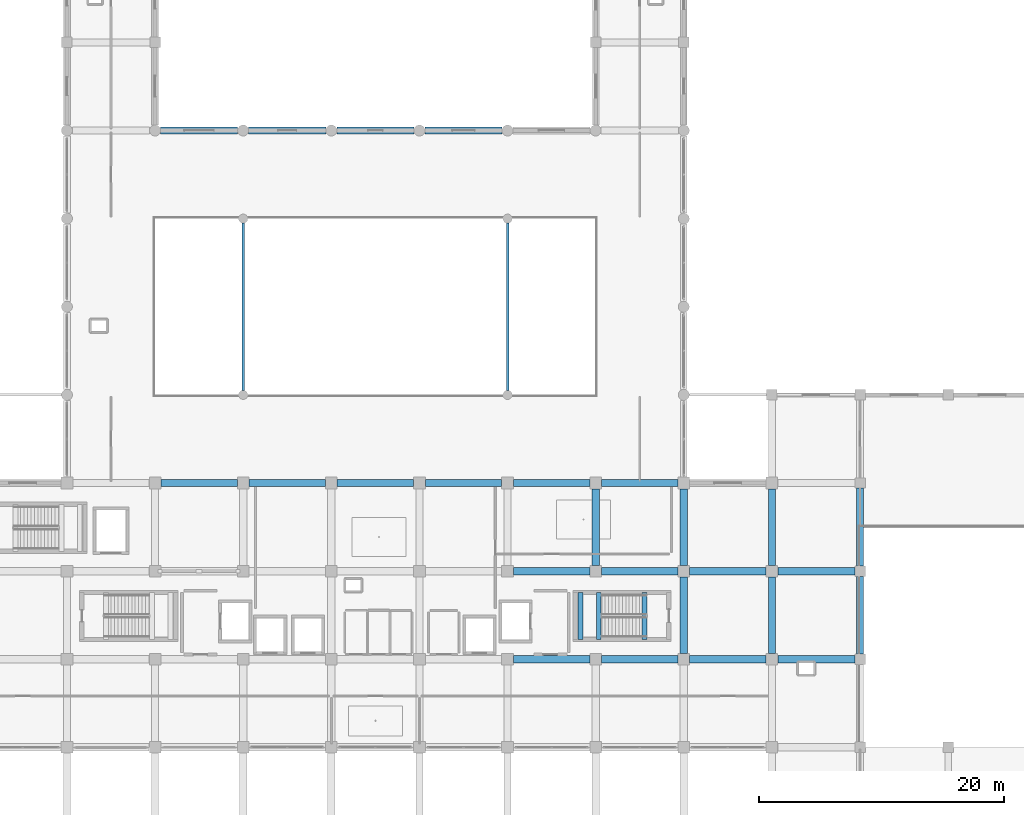
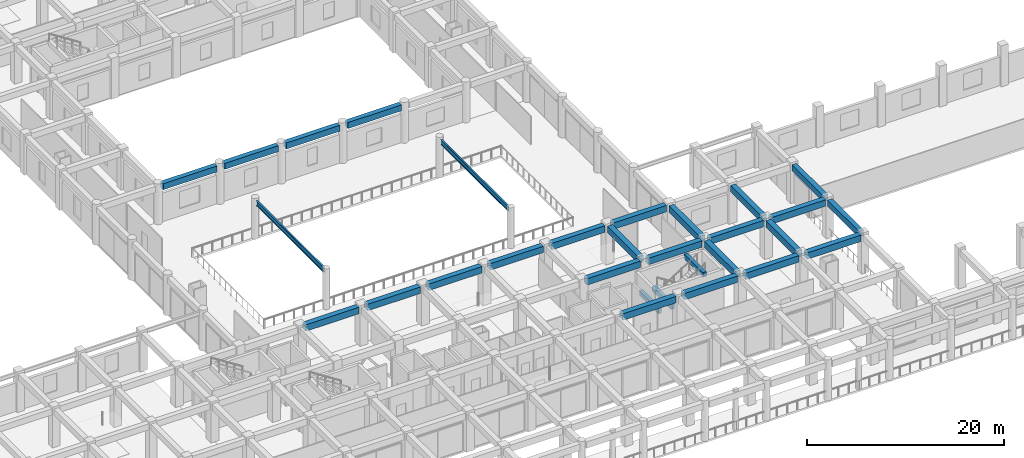
# One storey, part 19 of 54: 30 beams.
"""IFC4 building model written with IfcOpenShell, lengths in metres."""

from ifc_helpers import new_model, si_unit, direction, frame, origin, origin_2d, place, context, subcontext, project, spatial, rectangle, i_section, extrude, material, material_profile, profile_set, type_object, element, save


model = new_model("IFC4")

# Units and contexts
model_context = context("Model", 3, precision=1e-05, world=origin(), true_north=direction((0.0, 1.0)))
body_context = subcontext(model_context, "Body", "Model", "MODEL_VIEW")
ifc_project = project(units=[si_unit("LENGTHUNIT", "METRE"), si_unit("AREAUNIT", "SQUARE_METRE"), si_unit("VOLUMEUNIT", "CUBIC_METRE"), si_unit("PLANEANGLEUNIT", "RADIAN"), si_unit("MASSUNIT", "GRAM", prefix="KILO")], contexts=[model_context])

# Site, building, storey
site_placement = place(None, origin())
site = spatial("IfcSite", under=ifc_project, at=site_placement, CompositionType="ELEMENT")
building_placement = place(site_placement, origin())
building = spatial("IfcBuilding", under=site, at=building_placement, Name="Kazehaya Institute of Natural Sciences", CompositionType="ELEMENT")
storey_placement = place(building_placement, frame((0.0, 0.0, 5.39990234375)))
storey = spatial("IfcBuildingStorey", under=building, at=storey_placement, Name="L01", CompositionType="ELEMENT", Elevation=5.39990234375)

# Beams
ifc_material_1 = material(Name="Concrete Fc36", Category="concrete")
ifc_material_profile_1 = material_profile(ifc_material_1, rectangle(XDim=0.39990234375, YDim=0.60009765625, at=origin_2d()), Name="RC-400x600")
ifc_profile_set_1 = profile_set([ifc_material_profile_1], Name="Concrete Fc36")
beam_type_1 = type_object("IfcBeamType", Name="BM-B-400x600", PredefinedType="BEAM", material=ifc_profile_set_1)
for number, where, z_axis, x_axis, name in (
    (1, (109.0, 22.820068359375, 4.739990234375), (0.0, 1.0, 0.0), (-1.0, 0.0, 0.0), "L02 ST-2 stair header trimmer beam"),
    (2, (103.75, 22.820068359375, 2.06005859375), (0.0, 1.0, 0.0), (-1.0, 0.0, 0.0), "L01 ST-2 landing beam 1"),
    (3, (105.25, 22.820068359375, 2.06005859375), (0.0, 1.0, 0.0), (-1.0, 0.0, 0.0), "L01 ST-2 landing beam 2"),
):
    element("IfcBeam", number, at=place(storey_placement, frame(where, z_axis=z_axis, x_axis=x_axis)), inside=storey, type_object=beam_type_1, Name=name, PredefinedType="BEAM", context=body_context, shape_type="SweptSolid", body=[
        extrude(rectangle(XDim=0.39990234375, YDim=0.60009765625, at=origin_2d()), origin(), (0.0, 0.0, 1.0), 3.83984375),
    ])
ifc_material_profile_2 = material_profile(ifc_material_1, rectangle(XDim=0.550048828125, YDim=0.75, at=origin_2d()), Name="RC-550x750")
ifc_profile_set_2 = profile_set([ifc_material_profile_2], Name="Concrete Fc36")
beam_type_2 = type_object("IfcBeamType", Name="BM-G-550x750", PredefinedType="BEAM", material=ifc_profile_set_2)
for number, where, z_axis, x_axis, name in (
    (4, (69.449951171875, 64.39990234375, 4.39501953125), (1.0, 0.0, 0.0), (0.0, 1.0, 0.0), "L01 primary X girder BMX-L01-690-644"),
    (5, (76.64990234375, 64.39990234375, 4.39501953125), (1.0, 0.0, 0.0), (0.0, 1.0, 0.0), "L01 primary X girder BMX-L01-762-644"),
):
    element("IfcBeam", number, at=place(storey_placement, frame(where, z_axis=z_axis, x_axis=x_axis)), inside=storey, type_object=beam_type_2, Name=name, PredefinedType="BEAM", context=body_context, shape_type="SweptSolid", body=[
        extrude(rectangle(XDim=0.550048828125, YDim=0.75, at=origin_2d()), origin(), (0.0, 0.0, 1.0), 6.300048828125),
    ])
beam_1_placement = place(storey_placement, frame((83.85009765625, 64.39990234375, 4.39501953125), z_axis=(1.0, 0.0, 0.0), x_axis=(0.0, 1.0, 0.0)))
element("IfcBeam", 6, at=beam_1_placement, inside=storey, type_object=beam_type_2, Name="L01 primary X girder BMX-L01-834-644", PredefinedType="BEAM", context=body_context, shape_type="SweptSolid", body=[
    extrude(rectangle(XDim=0.550048828125, YDim=0.75, at=origin_2d()), origin(), (0.0, 0.0, 1.0), 6.2998046875),
])
beam_2_placement = place(storey_placement, frame((91.050048828125, 64.39990234375, 4.39501953125), z_axis=(1.0, 0.0, 0.0), x_axis=(0.0, 1.0, 0.0)))
element("IfcBeam", 7, at=beam_2_placement, inside=storey, type_object=beam_type_2, Name="L01 primary X girder BMX-L01-906-644", PredefinedType="BEAM", context=body_context, shape_type="SweptSolid", body=[
    extrude(rectangle(XDim=0.550048828125, YDim=0.75, at=origin_2d()), origin(), (0.0, 0.0, 1.0), 6.300048828125),
])
for number, where, z_axis, x_axis, name in (
    (8, (126.60009765625, 21.625, 4.39501953125), (0.0, 1.0, 0.0), (-1.0, 0.0, 0.0), "L01 primary Y girder BMY-L01-1266-212"),
    (9, (126.60009765625, 28.824951171875, 4.39501953125), (0.0, 1.0, 0.0), (-1.0, 0.0, 0.0), "L01 primary Y girder BMY-L01-1266-284"),
):
    element("IfcBeam", number, at=place(storey_placement, frame(where, z_axis=z_axis, x_axis=x_axis)), inside=storey, type_object=beam_type_2, Name=name, PredefinedType="BEAM", context=body_context, shape_type="SweptSolid", body=[
        extrude(rectangle(XDim=0.550048828125, YDim=0.75, at=origin_2d()), origin(), (0.0, 0.0, 1.0), 6.35009765625),
    ])
ifc_material_profile_3 = material_profile(ifc_material_1, rectangle(XDim=0.60009765625, YDim=0.800048828125, at=origin_2d()), Name="RC-600x800")
ifc_profile_set_3 = profile_set([ifc_material_profile_3], Name="Concrete Fc36")
beam_type_3 = type_object("IfcBeamType", Name="BM-G-600x800", PredefinedType="BEAM", material=ifc_profile_set_3)
for number, where, z_axis, x_axis, name in (
    (10, (98.27490234375, 21.199951171875, 4.3701171875), (1.0, 0.0, 0.0), (0.0, 1.0, 0.0), "L01 primary X girder BMX-L01-978-212"),
    (11, (105.47509765625, 21.199951171875, 4.3701171875), (1.0, 0.0, 0.0), (0.0, 1.0, 0.0), "L01 primary X girder BMX-L01-1050-212"),
    (12, (112.675048828125, 21.199951171875, 4.3701171875), (1.0, 0.0, 0.0), (0.0, 1.0, 0.0), "L01 primary X girder BMX-L01-1122-212"),
):
    element("IfcBeam", number, at=place(storey_placement, frame(where, z_axis=z_axis, x_axis=x_axis)), inside=storey, type_object=beam_type_3, Name=name, PredefinedType="BEAM", context=body_context, shape_type="SweptSolid", body=[
        extrude(rectangle(XDim=0.60009765625, YDim=0.800048828125, at=origin_2d()), origin(), (0.0, 0.0, 1.0), 6.25),
    ])
beam_3_placement = place(storey_placement, frame((119.875, 21.199951171875, 4.3701171875), z_axis=(1.0, 0.0, 0.0), x_axis=(0.0, 1.0, 0.0)))
element("IfcBeam", 13, at=beam_3_placement, inside=storey, type_object=beam_type_3, Name="L01 primary X girder BMX-L01-1194-212", PredefinedType="BEAM", context=body_context, shape_type="SweptSolid", body=[
    extrude(rectangle(XDim=0.60009765625, YDim=0.800048828125, at=origin_2d()), origin(), (0.0, 0.0, 1.0), 6.300048828125),
])
for number, where, z_axis, x_axis, name in (
    (14, (98.27490234375, 28.39990234375, 4.3701171875), (1.0, 0.0, 0.0), (0.0, 1.0, 0.0), "L01 primary X girder BMX-L01-978-284"),
    (15, (105.47509765625, 28.39990234375, 4.3701171875), (1.0, 0.0, 0.0), (0.0, 1.0, 0.0), "L01 primary X girder BMX-L01-1050-284"),
    (16, (112.675048828125, 28.39990234375, 4.3701171875), (1.0, 0.0, 0.0), (0.0, 1.0, 0.0), "L01 primary X girder BMX-L01-1122-284"),
):
    element("IfcBeam", number, at=place(storey_placement, frame(where, z_axis=z_axis, x_axis=x_axis)), inside=storey, type_object=beam_type_3, Name=name, PredefinedType="BEAM", context=body_context, shape_type="SweptSolid", body=[
        extrude(rectangle(XDim=0.60009765625, YDim=0.800048828125, at=origin_2d()), origin(), (0.0, 0.0, 1.0), 6.25),
    ])
beam_4_placement = place(storey_placement, frame((119.875, 28.39990234375, 4.3701171875), z_axis=(1.0, 0.0, 0.0), x_axis=(0.0, 1.0, 0.0)))
element("IfcBeam", 17, at=beam_4_placement, inside=storey, type_object=beam_type_3, Name="L01 primary X girder BMX-L01-1194-284", PredefinedType="BEAM", context=body_context, shape_type="SweptSolid", body=[
    extrude(rectangle(XDim=0.60009765625, YDim=0.800048828125, at=origin_2d()), origin(), (0.0, 0.0, 1.0), 6.300048828125),
])
for number, where, z_axis, x_axis, name in (
    (18, (69.47509765625, 35.60009765625, 4.3701171875), (1.0, 0.0, 0.0), (0.0, 1.0, 0.0), "L01 primary X girder BMX-L01-690-356"),
    (19, (76.675048828125, 35.60009765625, 4.3701171875), (1.0, 0.0, 0.0), (0.0, 1.0, 0.0), "L01 primary X girder BMX-L01-762-356"),
    (20, (83.875, 35.60009765625, 4.3701171875), (1.0, 0.0, 0.0), (0.0, 1.0, 0.0), "L01 primary X girder BMX-L01-834-356"),
    (21, (91.074951171875, 35.60009765625, 4.3701171875), (1.0, 0.0, 0.0), (0.0, 1.0, 0.0), "L01 primary X girder BMX-L01-906-356"),
    (22, (98.27490234375, 35.60009765625, 4.3701171875), (1.0, 0.0, 0.0), (0.0, 1.0, 0.0), "L01 primary X girder BMX-L01-978-356"),
    (23, (105.47509765625, 35.60009765625, 4.3701171875), (1.0, 0.0, 0.0), (0.0, 1.0, 0.0), "L01 primary X girder BMX-L01-1050-356"),
    (24, (105.0, 28.875, 4.3701171875), (0.0, 1.0, 0.0), (-1.0, 0.0, 0.0), "L01 primary Y girder BMY-L01-1050-284"),
    (25, (112.199951171875, 21.675048828125, 4.3701171875), (0.0, 1.0, 0.0), (-1.0, 0.0, 0.0), "L01 primary Y girder BMY-L01-1122-212"),
    (26, (112.199951171875, 28.875, 4.3701171875), (0.0, 1.0, 0.0), (-1.0, 0.0, 0.0), "L01 primary Y girder BMY-L01-1122-284"),
    (27, (119.39990234375, 21.675048828125, 4.3701171875), (0.0, 1.0, 0.0), (-1.0, 0.0, 0.0), "L01 primary Y girder BMY-L01-1194-212"),
    (28, (119.39990234375, 28.875, 4.3701171875), (0.0, 1.0, 0.0), (-1.0, 0.0, 0.0), "L01 primary Y girder BMY-L01-1194-284"),
):
    element("IfcBeam", number, at=place(storey_placement, frame(where, z_axis=z_axis, x_axis=x_axis)), inside=storey, type_object=beam_type_3, Name=name, PredefinedType="BEAM", context=body_context, shape_type="SweptSolid", body=[
        extrude(rectangle(XDim=0.60009765625, YDim=0.800048828125, at=origin_2d()), origin(), (0.0, 0.0, 1.0), 6.25),
    ])
ifc_material_2 = material(Name="Structural steel SN490B", Category="steel")
ifc_material_profile_4 = material_profile(ifc_material_2, i_section(OverallWidth=0.199951171875, OverallDepth=0.60009765625, WebThickness=0.010986328125, FlangeThickness=0.01708984375, FilletRadius=0.01806640625, at=origin_2d()), Name="H-600x200x11x17")
ifc_profile_set_4 = profile_set([ifc_material_profile_4], Name="Structural steel SN490B")
beam_type_4 = type_object("IfcBeamType", Name="BM-STL-H600", PredefinedType="BEAM", material=ifc_profile_set_4)
for number, where, z_axis, x_axis, name in (
    (29, (76.199951171875, 43.175048828125, 4.47021484375), (0.0, 1.0, 0.0), (-1.0, 0.0, 0.0), "L02 atrium gallery walkway girder 1036"),
    (30, (97.800048828125, 43.175048828125, 4.47021484375), (0.0, 1.0, 0.0), (-1.0, 0.0, 0.0), "L02 atrium gallery walkway girder 1037"),
):
    element("IfcBeam", number, at=place(storey_placement, frame(where, z_axis=z_axis, x_axis=x_axis)), inside=storey, type_object=beam_type_4, Name=name, PredefinedType="BEAM", context=body_context, shape_type="SweptSolid", body=[
        extrude(i_section(OverallWidth=0.199951171875, OverallDepth=0.60009765625, WebThickness=0.010986328125, FlangeThickness=0.01708984375, FilletRadius=0.01806640625, at=origin_2d()), origin(), (0.0, 0.0, 1.0), 13.64990234375),
    ])

save(model, "model.ifc")
